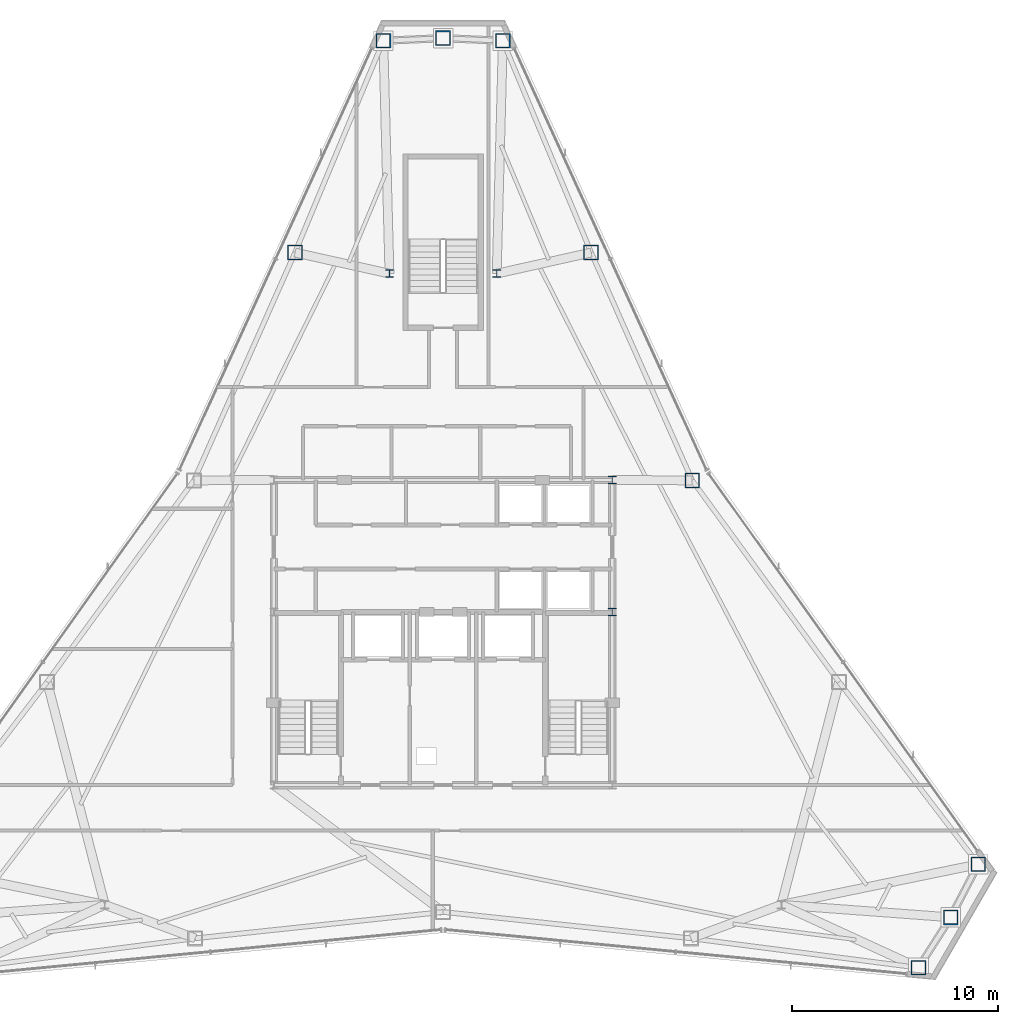
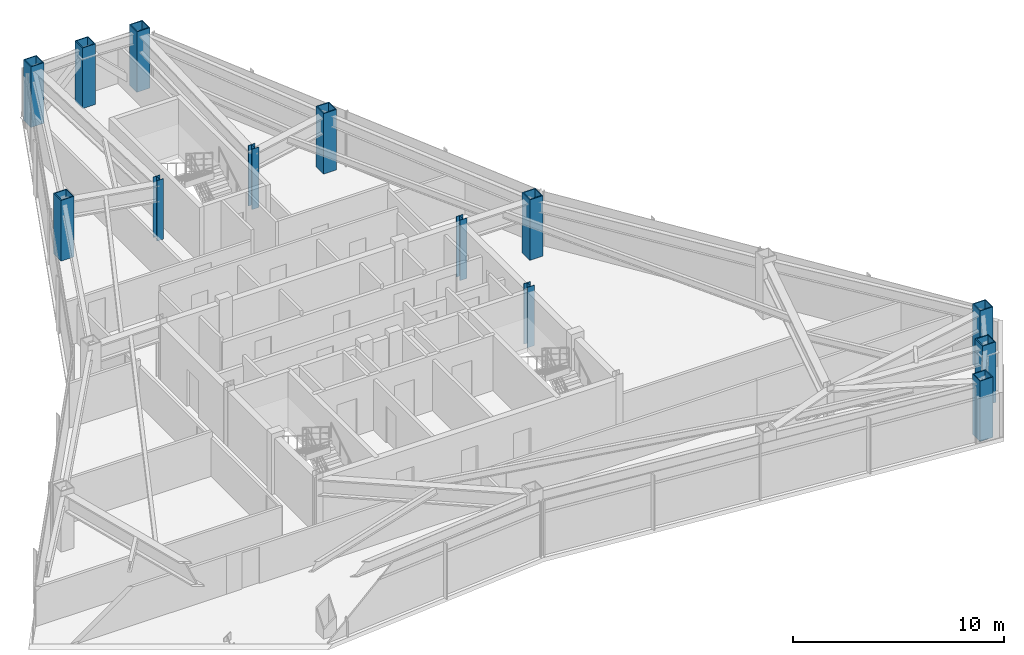
# One storey, part 2 of 11: 13 columns.
"""IFC4 building model written with IfcOpenShell, lengths in metres."""

import ifcopenshell
import ifcopenshell.guid

model = None  # the IFC model being written
_history = None  # IfcOwnerHistory: only IFC2X3 demands one
_inside = {}  # id of a spatial element -> (the spatial element, [elements in it])
_under = {}  # id of a project, library or spatial element -> (it, [spatial elements below it])
_declared = {}  # id of a project -> (the project, [libraries it declares])
_typed = {}  # id of a type object -> (the type object, [elements of that type])
_made_of = {}  # id of a material, layer set ... -> (it, [elements and type objects made of it])


def new_model(schema):
    """Start an empty IFC model of exactly this schema.

    Asked for "IFC4X3", IfcOpenShell would pick the latest addendum, in which some entities
    have other attributes; the version numbers below select the first issue.
    IFC2X3 requires an IfcOwnerHistory on every rooted entity: one is made here for all.
    """
    global model, _history
    if schema == "IFC4X3":
        model = ifcopenshell.file(schema_version=(4, 3, 0, 0))
    else:
        model = ifcopenshell.file(schema=schema)
    _inside.clear()
    _under.clear()
    _declared.clear()
    _typed.clear()
    _made_of.clear()
    _history = None
    if model.schema == "IFC2X3":
        org = make("IfcOrganization", Name="unknown")
        user = make(
            "IfcPersonAndOrganization",
            ThePerson=make("IfcPerson", FamilyName="unknown"),
            TheOrganization=org,
        )
        app = make(
            "IfcApplication",
            ApplicationDeveloper=org,
            Version="unknown",
            ApplicationFullName="unknown",
            ApplicationIdentifier="unknown",
        )
        _history = make(
            "IfcOwnerHistory",
            OwningUser=user,
            OwningApplication=app,
            ChangeAction="ADDED",
            CreationDate=0,
        )
    return model


def make(cls, **values):
    """One entity of the class cls with the attributes given. An attribute that is None is left unset."""
    return model.create_entity(
        cls, **{name: value for name, value in values.items() if value is not None}
    )


def rooted(cls, **values):
    """An entity with a GlobalId (a new one), such as an element, a storey or a relation."""
    return make(cls, GlobalId=ifcopenshell.guid.new(), OwnerHistory=_history, **values)


def si_unit(unit_type, name, prefix=None):
    """IfcSIUnit, for example si_unit("LENGTHUNIT", "METRE", prefix="MILLI")."""
    return make("IfcSIUnit", UnitType=unit_type, Prefix=prefix, Name=name)


def assignment(units):
    """IfcUnitAssignment: the units of a project."""
    return None if units is None else make("IfcUnitAssignment", Units=units)


def point(xyz):
    """IfcCartesianPoint."""
    return None if xyz is None else make("IfcCartesianPoint", Coordinates=xyz)


def direction(xyz):
    """IfcDirection."""
    return None if xyz is None else make("IfcDirection", DirectionRatios=xyz)


def frame(location, z_axis=None, x_axis=None):
    """IfcAxis2Placement3D, a coordinate frame: its origin and axes. An axis left out is left unset."""
    return make(
        "IfcAxis2Placement3D",
        Location=point(location),
        Axis=direction(z_axis),
        RefDirection=direction(x_axis),
    )


def frame_2d(location, x_axis=None):
    """IfcAxis2Placement2D, a coordinate frame in the plane: its origin and x axis."""
    return make(
        "IfcAxis2Placement2D", Location=point(location), RefDirection=direction(x_axis)
    )


def origin():
    """The frame at (0, 0, 0) with its axes left unset."""
    return frame((0.0, 0.0, 0.0))


def origin_2d():
    """The frame at (0, 0) in the plane with its x axis left unset."""
    return frame_2d((0.0, 0.0))


def place(relative_to, where):
    """IfcLocalPlacement: puts the frame where relative to a parent placement (None: the world)."""
    return make(
        "IfcLocalPlacement", PlacementRelTo=relative_to, RelativePlacement=where
    )


def context(
    kind, dimensions, precision=None, world=None, true_north=None, identifier=None
):
    """IfcGeometricRepresentationContext, for example the 3D "Model" context."""
    return make(
        "IfcGeometricRepresentationContext",
        ContextIdentifier=identifier,
        ContextType=kind,
        CoordinateSpaceDimension=dimensions,
        Precision=precision,
        WorldCoordinateSystem=world,
        TrueNorth=true_north,
    )


def subcontext(parent, identifier, kind, view, scale=None):
    """IfcGeometricRepresentationSubContext, for example "Body" below "Model"."""
    return make(
        "IfcGeometricRepresentationSubContext",
        ContextIdentifier=identifier,
        ContextType=kind,
        ParentContext=parent,
        TargetScale=scale,
        TargetView=view,
    )


def project(units=None, contexts=None):
    """IfcProject with its units and contexts."""
    return rooted(
        "IfcProject",
        Name="project",
        RepresentationContexts=contexts,
        UnitsInContext=assignment(units),
    )


def spatial(cls, under=None, at=None, **own):
    """A site, building, storey or space (cls), placed at a placement, below another one or the project."""
    s = rooted(cls, ObjectPlacement=at, **own)
    if under is not None:
        _under.setdefault(under.id(), (under, []))[1].append(s)
    return s


def profile(cls, at=None, kind="AREA", **sizes):
    """A parametric profile (cls). Its sizes go by their IFC names, for example OverallWidth=200.0."""
    return make(cls, ProfileType=kind, Position=at, **sizes)


def hollow_rectangle(**sizes):
    """IfcRectangleHollowProfileDef."""
    return profile("IfcRectangleHollowProfileDef", **sizes)


def i_section(**sizes):
    """IfcIShapeProfileDef."""
    return profile("IfcIShapeProfileDef", **sizes)


def extrude(swept, where, along, depth):
    """IfcExtrudedAreaSolid: the profile swept, set in the frame where, extruded along a direction by depth."""
    return make(
        "IfcExtrudedAreaSolid",
        SweptArea=swept,
        Position=where,
        ExtrudedDirection=direction(along),
        Depth=depth,
    )


def shape(context_of_items, identifier, shape_type, items):
    """IfcShapeRepresentation: the items that make up one representation, for example the "Body"."""
    return make(
        "IfcShapeRepresentation",
        ContextOfItems=context_of_items,
        RepresentationIdentifier=identifier,
        RepresentationType=shape_type,
        Items=items,
    )


def material(Name=None, Category=None):
    """IfcMaterial."""
    return make("IfcMaterial", Name=Name, Category=Category)


def material_profile(
    of_material, cross_section, Name=None, Category=None, Priority=None
):
    """IfcMaterialProfile: a cross section and its material."""
    return make(
        "IfcMaterialProfile",
        Name=Name,
        Material=of_material,
        Profile=cross_section,
        Priority=Priority,
        Category=Category,
    )


def profile_set(profiles, Name=None, composite=None):
    """IfcMaterialProfileSet."""
    return make(
        "IfcMaterialProfileSet",
        Name=Name,
        MaterialProfiles=profiles,
        CompositeProfile=composite,
    )


def made_of(thing, what):
    """Note that an element or type object is made of a material, layer set ...; save() writes the relation."""
    if what is not None:
        _made_of.setdefault(what.id(), (what, []))[1].append(thing)
    return thing


def type_object(cls, material=None, **own):
    """A type object (cls), such as IfcWallType, which elements share."""
    return made_of(rooted(cls, **own), material)


def element(
    cls,
    number,
    at=None,
    inside=None,
    cuts=None,
    type_object=None,
    material=None,
    context=None,
    identifier="Body",
    shape_type=None,
    held_by="IfcProductDefinitionShape",
    body=None,
    shapes=None,
    **own,
):
    """One element of the class cls, such as IfcWall. Its Tag is "e" and its number.

    at: its placement. inside: the storey or other place that contains it. cuts: it is an
    opening in that element (IfcRelVoidsElement). A single representation is given by context,
    identifier, shape_type and body (its items); several are given by shapes. held_by: the class
    of the entity that holds the representations. save() writes the other relations.
    """
    e = rooted(cls, Tag="e%d" % number, ObjectPlacement=at, **own)
    if body is not None:
        shapes = [shape(context, identifier, shape_type, body)]
    if shapes is not None:
        e.Representation = make(held_by, Representations=shapes)
    if inside is not None:
        _inside.setdefault(inside.id(), (inside, []))[1].append(e)
    if cuts is not None:
        rooted(
            "IfcRelVoidsElement", RelatingBuildingElement=cuts, RelatedOpeningElement=e
        )
    if type_object is not None:
        _typed.setdefault(type_object.id(), (type_object, []))[1].append(e)
    return made_of(e, material)


def aggregate(whole, parts):
    """IfcRelAggregates: a whole, such as a stair, and the parts it consists of."""
    return rooted("IfcRelAggregates", RelatingObject=whole, RelatedObjects=parts)


def save(model, path):
    """Write the relations noted so far, then the file.

    IfcRelAggregates (storeys below a building ...), IfcRelContainedInSpatialStructure (elements
    in a storey), IfcRelDefinesByType, IfcRelAssociatesMaterial and IfcRelDeclares: one each for
    every whole, place, type object, material and project.
    """
    for whole, parts in _under.values():
        aggregate(whole, parts)
    for where, things in _inside.values():
        rooted(
            "IfcRelContainedInSpatialStructure",
            RelatedElements=things,
            RelatingStructure=where,
        )
    for kind, things in _typed.values():
        rooted("IfcRelDefinesByType", RelatedObjects=things, RelatingType=kind)
    for what, things in _made_of.values():
        rooted("IfcRelAssociatesMaterial", RelatedObjects=things, RelatingMaterial=what)
    for by, libraries in _declared.values():
        rooted("IfcRelDeclares", RelatingContext=by, RelatedDefinitions=libraries)
    model.write(path)


model = new_model("IFC4")

# Units and contexts
model_context = context("Model", 3, precision=1e-05, world=origin(), true_north=direction((0.0, 1.0)))
body_context = subcontext(model_context, "Body", "Model", "MODEL_VIEW")
ifc_project = project(units=[si_unit("LENGTHUNIT", "METRE"), si_unit("AREAUNIT", "SQUARE_METRE"), si_unit("VOLUMEUNIT", "CUBIC_METRE"), si_unit("PLANEANGLEUNIT", "RADIAN"), si_unit("MASSUNIT", "GRAM", prefix="KILO")], contexts=[model_context])

# Site, building, storey
site_placement = place(None, origin())
site = spatial("IfcSite", under=ifc_project, at=site_placement, CompositionType="ELEMENT")
building_placement = place(site_placement, origin())
building = spatial("IfcBuilding", under=site, at=building_placement, Name="Varakhsha Concourse Tower", CompositionType="ELEMENT")
storey_placement = place(building_placement, frame((0.0, 0.0, 246.89990234375)))
storey = spatial("IfcBuildingStorey", under=building, at=storey_placement, Name="L70", CompositionType="ELEMENT", Elevation=246.89990234375)

# Columns
ifc_material_1 = material(Name="Structural Steel ASTM A992 Grade 50", Category="steel")
ifc_material_profile_1 = material_profile(ifc_material_1, i_section(OverallWidth=0.3740234375, OverallDepth=0.3720703125, WebThickness=0.01611328125, FlangeThickness=0.02587890625, at=origin_2d()), Name="W14X132")
ifc_profile_set_1 = profile_set([ifc_material_profile_1], Name="Structural Steel ASTM A992 Grade 50")
column_type_1 = type_object("IfcColumnType", Name="CL-CORE-W14X132", PredefinedType="COLUMN", material=ifc_profile_set_1)
for number, where, z_axis, x_axis, name in (
    (1, (48.199951171875, 24.800048828125, 0.0), (0.0, 0.0, 1.0), (1.0, 0.0, 0.0), "L70 Core Column CC-ME"),
    (2, (48.199951171875, 31.199951171875, 0.0), (0.0, 0.0, 1.0), (1.0, 0.0, 0.0), "L70 Core Column CC-NE"),
    (3, (37.39990234375, 41.199951171875, 0.0), (0.0, 0.0, 1.0), (1.0, 0.0, 0.0), "L70 Core Column NS-W"),
    (4, (42.60009765625, 41.199951171875, 0.0), (0.0, 0.0, 1.0), (1.0, 0.0, 0.0), "L70 Core Column NS-E"),
):
    element("IfcColumn", number, at=place(storey_placement, frame(where, z_axis=z_axis, x_axis=x_axis)), inside=storey, type_object=column_type_1, Name=name, PredefinedType="COLUMN", context=body_context, shape_type="SweptSolid", body=[
        extrude(i_section(OverallWidth=0.3740234375, OverallDepth=0.3720703125, WebThickness=0.01611328125, FlangeThickness=0.02587890625, at=origin_2d()), origin(), (0.0, 0.0, 1.0), 3.5),
    ])
ifc_material_2 = material(Name="Structural Steel ASTM A572 Grade 50", Category="steel")
ifc_material_profile_2 = material_profile(ifc_material_2, hollow_rectangle(XDim=0.719970703125, YDim=0.719970703125, WallThickness=0.050048828125, at=origin_2d()), Name="BOX 720x720x50")
ifc_profile_set_2 = profile_set([ifc_material_profile_2], Name="Structural Steel ASTM A572 Grade 50")
column_type_2 = type_object("IfcColumnType", Name="CL-TUBE-720", PredefinedType="COLUMN", material=ifc_profile_set_2)
for number, where, z_axis, x_axis, name in (
    (5, (42.89697265625, 52.490478515625, 0.0), (0.0, 0.0, 1.0), (1.0, 0.0, 0.0), "L70 Framed-Tube Column TC01"),
    (6, (40.0, 52.6171875, 0.0), (0.0, 0.0, 1.0), (1.0, 0.0, 0.0), "L70 Framed-Tube Column TC02"),
    (7, (37.10302734375, 52.490478515625, 0.0), (0.0, 0.0, 1.0), (1.0, 0.0, 0.0), "L70 Framed-Tube Column TC03"),
    (8, (32.82275390625, 42.22314453125, 0.0), (0.0, 0.0, 1.0), (1.0, 0.0, 0.0), "L70 Framed-Tube Column TC04"),
    (9, (63.0517578125, 7.5458984375, 0.0), (0.0, 0.0, 1.0), (1.0, 0.0, 0.0), "L70 Framed-Tube Column TC13"),
    (10, (64.610107421875, 9.991455078125, 0.0), (0.0, 0.0, 1.0), (1.0, 0.0, 0.0), "L70 Framed-Tube Column TC14"),
    (11, (65.94873046875, 12.563720703125, 0.0), (0.0, 0.0, 1.0), (1.0, 0.0, 0.0), "L70 Framed-Tube Column TC15"),
    (12, (52.0791015625, 31.173828125, 0.0), (0.0, 0.0, 1.0), (1.0, 0.0, 0.0), "L70 Framed-Tube Column TC17"),
    (13, (47.17724609375, 42.22314453125, 0.0), (0.0, 0.0, 1.0), (1.0, 0.0, 0.0), "L70 Framed-Tube Column TC18"),
):
    element("IfcColumn", number, at=place(storey_placement, frame(where, z_axis=z_axis, x_axis=x_axis)), inside=storey, type_object=column_type_2, Name=name, PredefinedType="COLUMN", context=body_context, shape_type="SweptSolid", body=[
        extrude(hollow_rectangle(XDim=0.719970703125, YDim=0.719970703125, WallThickness=0.050048828125, at=origin_2d()), origin(), (0.0, 0.0, 1.0), 3.5),
    ])

save(model, "model.ifc")
